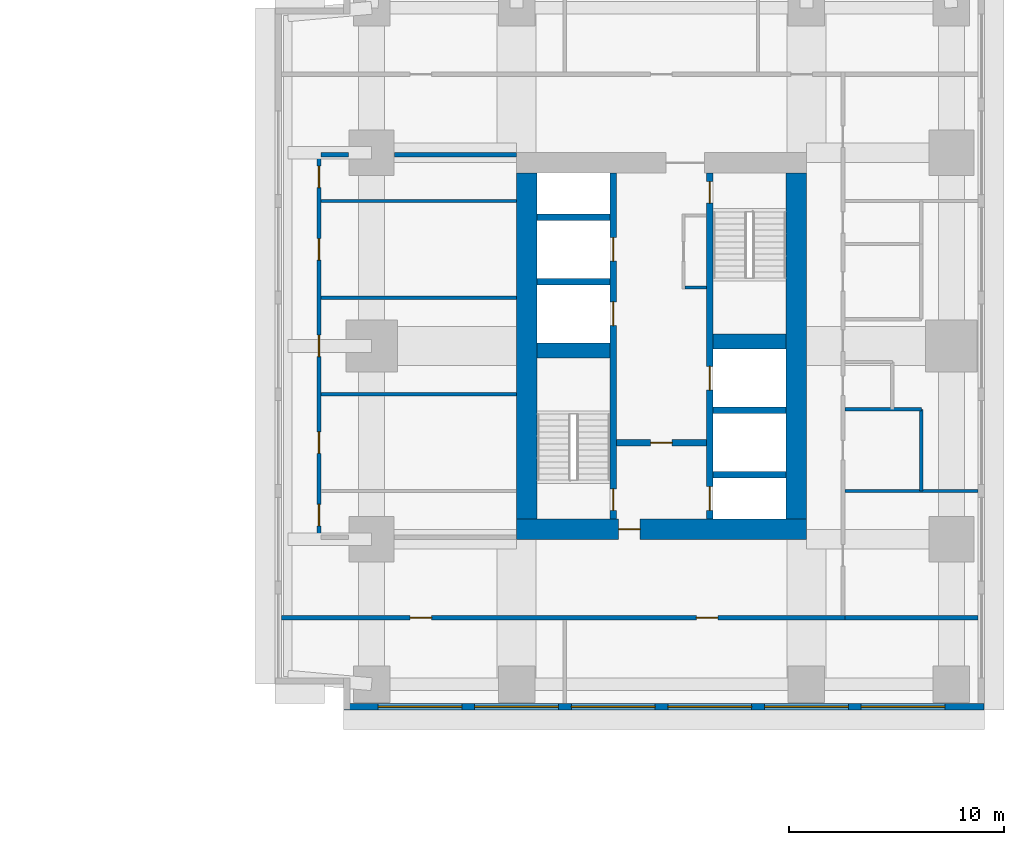
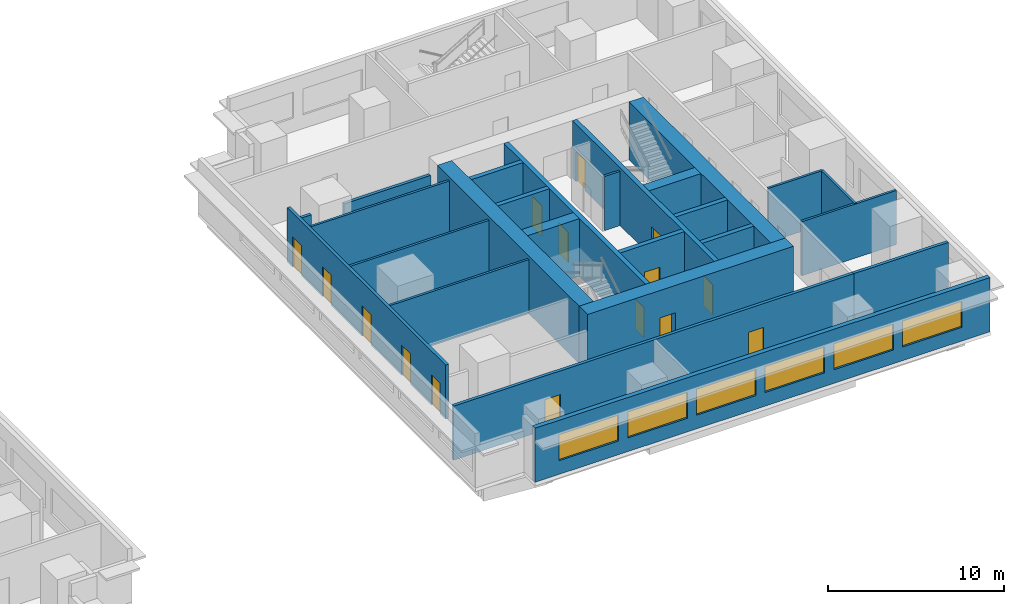
# One storey, part 6 of 11: 25 walls, 15 doors, 6 windows, 21 openings.
"""IFC4 building model written with IfcOpenShell, lengths in metres."""

from ifc_helpers import new_model, si_unit, direction, frame, frame_2d, origin, place, context, subcontext, project, spatial, rectangle, extrude, material, layer, layer_set, type_object, element, fill, save


model = new_model("IFC4")

# Units and contexts
model_context = context("Model", 3, precision=1e-05, world=origin(), true_north=direction((0.0, 1.0)))
body_context = subcontext(model_context, "Body", "Model", "MODEL_VIEW")
ifc_project = project(units=[si_unit("LENGTHUNIT", "METRE"), si_unit("AREAUNIT", "SQUARE_METRE"), si_unit("VOLUMEUNIT", "CUBIC_METRE"), si_unit("PLANEANGLEUNIT", "RADIAN"), si_unit("MASSUNIT", "GRAM", prefix="KILO")], contexts=[model_context])

# Site, building, storey
site_placement = place(None, origin())
site = spatial("IfcSite", under=ifc_project, at=site_placement, CompositionType="ELEMENT")
building_placement = place(site_placement, origin())
building = spatial("IfcBuilding", under=site, at=building_placement, Name="Namib Vertical Campus", CompositionType="ELEMENT")
storey_placement = place(building_placement, frame((0.0, 0.0, 93.0)))
storey = spatial("IfcBuildingStorey", under=building, at=storey_placement, Name="L21", CompositionType="ELEMENT", Elevation=93.0)

# Wall, openings, doors
ifc_material_1 = material(Name="Concrete C60/75", Category="concrete")
ifc_layer_1 = layer(ifc_material_1, 0.300048828125)
ifc_layer_set_1 = layer_set([ifc_layer_1], Name="Concrete C60/75")
wall_type_1 = type_object("IfcWallType", Name="Core inner wall 300", PredefinedType="SHEAR", material=ifc_layer_set_1)
wall_1_placement = place(storey_placement, frame((78.75, 12.199951171875, 0.0), z_axis=(0.0, 0.0, 1.0), x_axis=(0.0, 1.0, 0.0)))
wall_1 = element("IfcWall", 1, at=wall_1_placement, inside=storey, type_object=wall_type_1, Name="Core inner wall B L21 W1", PredefinedType="SHEAR", context=body_context, shape_type="SweptSolid", body=[
    extrude(rectangle(XDim=16.10009765625, YDim=0.300048828125, at=frame_2d((8.050048828125, 0.0))), origin(), (0.0, 0.0, 1.0), 4.0),
])
opening_1_placement = place(wall_1_placement, frame((0.39990234375, 0.0, 0.0)))
opening_1 = element("IfcOpeningElement", 2, at=opening_1_placement, cuts=wall_1, Name="Opening FD1", PredefinedType="OPENING", context=body_context, shape_type="SweptSolid", body=[
    extrude(rectangle(XDim=1.0, YDim=2.10009765625, at=frame_2d((0.5, 1.050048828125))), frame((0.0, 0.159912109375, 0.0), z_axis=(0.0, -1.0, 0.0), x_axis=(1.0, 0.0, 0.0)), (0.0, 0.0, 1.0), 0.320068359375),
])
opening_2_placement = place(wall_1_placement, frame((9.0, 0.0, 0.0)))
opening_2 = element("IfcOpeningElement", 3, at=opening_2_placement, cuts=wall_1, Name="Opening LD1", PredefinedType="OPENING", context=body_context, shape_type="SweptSolid", body=[
    extrude(rectangle(XDim=1.10009765625, YDim=2.10009765625, at=frame_2d((0.550048828125, 1.050048828125))), frame((0.0, 0.159912109375, 0.0), z_axis=(0.0, -1.0, 0.0), x_axis=(1.0, 0.0, 0.0)), (0.0, 0.0, 1.0), 0.320068359375),
])
opening_3_placement = place(wall_1_placement, frame((12.0, 0.0, 0.0)))
opening_3 = element("IfcOpeningElement", 4, at=opening_3_placement, cuts=wall_1, Name="Opening LD1", PredefinedType="OPENING", context=body_context, shape_type="SweptSolid", body=[
    extrude(rectangle(XDim=1.10009765625, YDim=2.10009765625, at=frame_2d((0.550048828125, 1.050048828125))), frame((0.0, 0.159912109375, 0.0), z_axis=(0.0, -1.0, 0.0), x_axis=(1.0, 0.0, 0.0)), (0.0, 0.0, 1.0), 0.320068359375),
])
ifc_material_2 = material(Name="Steel fire door", Category="steel")
door_type_1 = type_object("IfcDoorType", Name="Fire door 1000x2100", OperationType="SINGLE_SWING_RIGHT", PredefinedType="DOOR", material=ifc_material_2)
door_1_placement = place(opening_1_placement, origin())
door_1 = element("IfcDoor", 5, at=door_1_placement, inside=storey, type_object=door_type_1, Name="Stair door FD1 B L21 S1", OperationType="SINGLE_SWING_LEFT", OverallHeight=2.10009765625, OverallWidth=1.0, PredefinedType="DOOR", context=body_context, shape_type="SweptSolid", body=[
    extrude(rectangle(XDim=1.0, YDim=2.10009765625, at=frame_2d((0.5, 1.050048828125))), frame((0.0, 0.02490234375, 0.0), z_axis=(0.0, -1.0, 0.0), x_axis=(1.0, 0.0, 0.0)), (0.0, 0.0, 1.0), 0.050048828125),
])
fill(opening_1, door_1)
ifc_material_3 = material(Name="Stainless steel lift door", Category="steel")
door_type_2 = type_object("IfcDoorType", Name="Lift landing door 1100x2100", OperationType="DOUBLE_DOOR_SLIDING", PredefinedType="DOOR", material=ifc_material_3)
door_2_placement = place(opening_2_placement, origin())
door_2 = element("IfcDoor", 6, at=door_2_placement, inside=storey, type_object=door_type_2, Name="Lift landing door LD1 B-P1 L21", OperationType="DOUBLE_DOOR_SLIDING", OverallHeight=2.10009765625, OverallWidth=1.10009765625, PredefinedType="DOOR", context=body_context, shape_type="SweptSolid", body=[
    extrude(rectangle(XDim=1.10009765625, YDim=2.10009765625, at=frame_2d((0.550048828125, 1.050048828125))), frame((0.0, 0.02490234375, 0.0), z_axis=(0.0, -1.0, 0.0), x_axis=(1.0, 0.0, 0.0)), (0.0, 0.0, 1.0), 0.050048828125),
])
fill(opening_2, door_2)
door_3_placement = place(opening_3_placement, origin())
door_3 = element("IfcDoor", 7, at=door_3_placement, inside=storey, type_object=door_type_2, Name="Lift landing door LD1 B-P2 L21", OperationType="DOUBLE_DOOR_SLIDING", OverallHeight=2.10009765625, OverallWidth=1.10009765625, PredefinedType="DOOR", context=body_context, shape_type="SweptSolid", body=[
    extrude(rectangle(XDim=1.10009765625, YDim=2.10009765625, at=frame_2d((0.550048828125, 1.050048828125))), frame((0.0, 0.02490234375, 0.0), z_axis=(0.0, -1.0, 0.0), x_axis=(1.0, 0.0, 0.0)), (0.0, 0.0, 1.0), 0.050048828125),
])
fill(opening_3, door_3)

wall_2_placement = place(storey_placement, frame((83.25, 12.199951171875, 0.0), z_axis=(0.0, 0.0, 1.0), x_axis=(0.0, 1.0, 0.0)))
wall_2 = element("IfcWall", 8, at=wall_2_placement, inside=storey, type_object=wall_type_1, Name="Core inner wall B L21 W2", PredefinedType="SHEAR", context=body_context, shape_type="SweptSolid", body=[
    extrude(rectangle(XDim=16.10009765625, YDim=0.300048828125, at=frame_2d((8.050048828125, 0.0))), origin(), (0.0, 0.0, 1.0), 4.0),
])
opening_4_placement = place(wall_2_placement, frame((14.699951171875, 0.0, 0.0)))
opening_4 = element("IfcOpeningElement", 9, at=opening_4_placement, cuts=wall_2, Name="Opening FD1", PredefinedType="OPENING", context=body_context, shape_type="SweptSolid", body=[
    extrude(rectangle(XDim=1.0, YDim=2.10009765625, at=frame_2d((0.5, 1.050048828125))), frame((0.0, 0.159912109375, 0.0), z_axis=(0.0, -1.0, 0.0), x_axis=(1.0, 0.0, 0.0)), (0.0, 0.0, 1.0), 0.320068359375),
])
opening_5_placement = place(wall_2_placement, frame((0.39990234375, 0.0, 0.0)))
opening_5 = element("IfcOpeningElement", 10, at=opening_5_placement, cuts=wall_2, Name="Opening LD1", PredefinedType="OPENING", context=body_context, shape_type="SweptSolid", body=[
    extrude(rectangle(XDim=1.10009765625, YDim=2.10009765625, at=frame_2d((0.550048828125, 1.050048828125))), frame((0.0, 0.159912109375, 0.0), z_axis=(0.0, -1.0, 0.0), x_axis=(1.0, 0.0, 0.0)), (0.0, 0.0, 1.0), 0.320068359375),
])
opening_6_placement = place(wall_2_placement, frame((6.0, 0.0, 0.0)))
opening_6 = element("IfcOpeningElement", 11, at=opening_6_placement, cuts=wall_2, Name="Opening LD1", PredefinedType="OPENING", context=body_context, shape_type="SweptSolid", body=[
    extrude(rectangle(XDim=1.10009765625, YDim=2.10009765625, at=frame_2d((0.550048828125, 1.050048828125))), frame((0.0, 0.159912109375, 0.0), z_axis=(0.0, -1.0, 0.0), x_axis=(1.0, 0.0, 0.0)), (0.0, 0.0, 1.0), 0.320068359375),
])
door_4_placement = place(opening_4_placement, frame((1.0, 0.0, 0.0), z_axis=(0.0, 0.0, 1.0), x_axis=(-1.0, 0.0, 0.0)))
door_4 = element("IfcDoor", 12, at=door_4_placement, inside=storey, type_object=door_type_1, Name="Stair door FD1 B L21 S2", OperationType="SINGLE_SWING_LEFT", OverallHeight=2.10009765625, OverallWidth=1.0, PredefinedType="DOOR", context=body_context, shape_type="SweptSolid", body=[
    extrude(rectangle(XDim=1.0, YDim=2.10009765625, at=frame_2d((0.5, 1.050048828125))), frame((0.0, 0.02490234375, 0.0), z_axis=(0.0, -1.0, 0.0), x_axis=(1.0, 0.0, 0.0)), (0.0, 0.0, 1.0), 0.050048828125),
])
fill(opening_4, door_4)
door_5_placement = place(opening_5_placement, origin())
door_5 = element("IfcDoor", 13, at=door_5_placement, inside=storey, type_object=door_type_2, Name="Lift landing door LD1 B-FL1 L21", OperationType="DOUBLE_DOOR_SLIDING", OverallHeight=2.10009765625, OverallWidth=1.10009765625, PredefinedType="DOOR", context=body_context, shape_type="SweptSolid", body=[
    extrude(rectangle(XDim=1.10009765625, YDim=2.10009765625, at=frame_2d((0.550048828125, 1.050048828125))), frame((0.0, 0.02490234375, 0.0), z_axis=(0.0, -1.0, 0.0), x_axis=(1.0, 0.0, 0.0)), (0.0, 0.0, 1.0), 0.050048828125),
])
fill(opening_5, door_5)
door_6_placement = place(opening_6_placement, origin())
door_6 = element("IfcDoor", 14, at=door_6_placement, inside=storey, type_object=door_type_2, Name="Lift landing door LD1 B-P5 L21", OperationType="DOUBLE_DOOR_SLIDING", OverallHeight=2.10009765625, OverallWidth=1.10009765625, PredefinedType="DOOR", context=body_context, shape_type="SweptSolid", body=[
    extrude(rectangle(XDim=1.10009765625, YDim=2.10009765625, at=frame_2d((0.550048828125, 1.050048828125))), frame((0.0, 0.02490234375, 0.0), z_axis=(0.0, -1.0, 0.0), x_axis=(1.0, 0.0, 0.0)), (0.0, 0.0, 1.0), 0.050048828125),
])
fill(opening_6, door_6)

# Wall, opening, door
wall_3_placement = place(storey_placement, frame((78.89990234375, 15.75, 0.0), z_axis=(0.0, 0.0, 1.0), x_axis=(1.0, 0.0, 0.0)))
wall_3 = element("IfcWall", 15, at=wall_3_placement, inside=storey, type_object=wall_type_1, Name="Core inner wall B L21 W4", PredefinedType="SHEAR", context=body_context, shape_type="SweptSolid", body=[
    extrude(rectangle(XDim=4.2001953125, YDim=0.300048828125, at=frame_2d((2.10009765625, 0.0))), origin(), (0.0, 0.0, 1.0), 4.0),
])
opening_7_placement = place(wall_3_placement, frame((1.60009765625, 0.0, 0.0)))
opening_7 = element("IfcOpeningElement", 16, at=opening_7_placement, cuts=wall_3, Name="Opening FD5", PredefinedType="OPENING", context=body_context, shape_type="SweptSolid", body=[
    extrude(rectangle(XDim=1.0, YDim=2.10009765625, at=frame_2d((0.5, 1.050048828125))), frame((0.0, 0.159912109375, 0.0), z_axis=(0.0, -1.0, 0.0), x_axis=(1.0, 0.0, 0.0)), (0.0, 0.0, 1.0), 0.320068359375),
])
ifc_material_4 = material(Name="Steel fire door", Category="steel")
door_type_3 = type_object("IfcDoorType", Name="Fire door 1000x2100 120 min", OperationType="SINGLE_SWING_RIGHT", PredefinedType="DOOR", material=ifc_material_4)
door_7_placement = place(opening_7_placement, frame((1.0, 0.0, 0.0), z_axis=(0.0, 0.0, 1.0), x_axis=(-1.0, 0.0, 0.0)))
door_7 = element("IfcDoor", 17, at=door_7_placement, inside=storey, type_object=door_type_3, Name="Lobby door FD5 B L21", OperationType="SINGLE_SWING_RIGHT", OverallHeight=2.10009765625, OverallWidth=1.0, PredefinedType="DOOR", context=body_context, shape_type="SweptSolid", body=[
    extrude(rectangle(XDim=1.0, YDim=2.10009765625, at=frame_2d((0.5, 1.050048828125))), frame((0.0, 0.02490234375, 0.0), z_axis=(0.0, -1.0, 0.0), x_axis=(1.0, 0.0, 0.0)), (0.0, 0.0, 1.0), 0.050048828125),
])
fill(opening_7, door_7)

# Walls
for number, where, z_axis, x_axis, name in (
    (18, (83.39990234375, 14.25, 0.0), (0.0, 0.0, 1.0), (1.0, 0.0, 0.0), "Core inner wall B L21 W5"),
    (19, (83.39990234375, 17.25, 0.0), (0.0, 0.0, 1.0), (1.0, 0.0, 0.0), "Core inner wall B L21 W6"),
    (20, (75.199951171875, 23.25, 0.0), (0.0, 0.0, 1.0), (1.0, 0.0, 0.0), "Core inner wall B L21 W8"),
    (21, (75.199951171875, 26.25, 0.0), (0.0, 0.0, 1.0), (1.0, 0.0, 0.0), "Core inner wall B L21 W9"),
):
    element("IfcWall", number, at=place(storey_placement, frame(where, z_axis=z_axis, x_axis=x_axis)), inside=storey, type_object=wall_type_1, Name=name, PredefinedType="SHEAR", context=body_context, shape_type="SweptSolid", body=[
        extrude(rectangle(XDim=3.400146484375, YDim=0.300048828125, at=frame_2d((1.7001953125, 0.0))), origin(), (0.0, 0.0, 1.0), 4.0),
    ])
ifc_material_5 = material(Name="Concrete C60/75", Category="concrete")
ifc_layer_2 = layer(ifc_material_5, 0.699951171875)
ifc_layer_set_2 = layer_set([ifc_layer_2], Name="Concrete C60/75")
wall_type_2 = type_object("IfcWallType", Name="Core shear wall 700", PredefinedType="SHEAR", material=ifc_layer_set_2)
for number, where, z_axis, x_axis, name in (
    (22, (75.199951171875, 20.050048828125, 0.0), (0.0, 0.0, 1.0), (1.0, 0.0, 0.0), "Core shear wall B L21 W3"),
    (23, (83.39990234375, 20.449951171875, 0.0), (0.0, 0.0, 1.0), (1.0, 0.0, 0.0), "Core shear wall B L21 W7"),
):
    element("IfcWall", number, at=place(storey_placement, frame(where, z_axis=z_axis, x_axis=x_axis)), inside=storey, type_object=wall_type_2, Name=name, PredefinedType="SHEAR", context=body_context, shape_type="SweptSolid", body=[
        extrude(rectangle(XDim=3.400146484375, YDim=0.699951171875, at=frame_2d((1.7001953125, 0.0))), origin(), (0.0, 0.0, 1.0), 4.0),
    ])

# Wall, opening, door
ifc_material_6 = material(Name="Concrete C60/75", Category="concrete")
ifc_layer_3 = layer(ifc_material_6, 0.949951171875)
ifc_layer_set_3 = layer_set([ifc_layer_3], Name="Concrete C60/75")
wall_type_3 = type_object("IfcWallType", Name="Core wall 950", PredefinedType="SHEAR", material=ifc_layer_set_3)
wall_4_placement = place(storey_placement, frame((74.25, 11.72509765625, 0.0), z_axis=(0.0, 0.0, 1.0), x_axis=(1.0, 0.0, 0.0)))
wall_4 = element("IfcWall", 24, at=wall_4_placement, inside=storey, type_object=wall_type_3, Name="Core wall B L21 1", PredefinedType="SHEAR", context=body_context, shape_type="SweptSolid", body=[
    extrude(rectangle(XDim=13.5, YDim=0.949951171875, at=frame_2d((6.75, 0.0))), origin(), (0.0, 0.0, 1.0), 4.0),
])
opening_8_placement = place(wall_4_placement, frame((4.75, 0.0, 0.0)))
opening_8 = element("IfcOpeningElement", 25, at=opening_8_placement, cuts=wall_4, Name="Opening FD5", PredefinedType="OPENING", context=body_context, shape_type="SweptSolid", body=[
    extrude(rectangle(XDim=1.0, YDim=2.10009765625, at=frame_2d((0.5, 1.050048828125))), frame((0.0, 0.48486328125, 0.0), z_axis=(0.0, -1.0, 0.0), x_axis=(1.0, 0.0, 0.0)), (0.0, 0.0, 1.0), 0.969970703125),
])
door_8_placement = place(opening_8_placement, origin())
door_8 = element("IfcDoor", 26, at=door_8_placement, inside=storey, type_object=door_type_3, Name="Firefighting lobby door FD5 B L21", OperationType="SINGLE_SWING_LEFT", OverallHeight=2.10009765625, OverallWidth=1.0, PredefinedType="DOOR", context=body_context, shape_type="SweptSolid", body=[
    extrude(rectangle(XDim=1.0, YDim=2.10009765625, at=frame_2d((0.5, 1.050048828125))), frame((0.0, 0.02490234375, 0.0), z_axis=(0.0, -1.0, 0.0), x_axis=(1.0, 0.0, 0.0)), (0.0, 0.0, 1.0), 0.050048828125),
])
fill(opening_8, door_8)

# Walls
for number, where, z_axis, x_axis, name in (
    (27, (87.27490234375, 12.199951171875, 0.0), (0.0, 0.0, 1.0), (0.0, 1.0, 0.0), "Core wall B L21 2"),
    (28, (74.72509765625, 28.300048828125, 0.0), (0.0, 0.0, 1.0), (0.0, -1.0, 0.0), "Core wall B L21 4"),
):
    element("IfcWall", number, at=place(storey_placement, frame(where, z_axis=z_axis, x_axis=x_axis)), inside=storey, type_object=wall_type_3, Name=name, PredefinedType="SHEAR", context=body_context, shape_type="SweptSolid", body=[
        extrude(rectangle(XDim=16.10009765625, YDim=0.949951171875, at=frame_2d((8.050048828125, 0.0))), origin(), (0.0, 0.0, 1.0), 4.0),
    ])

# Wall, openings, doors
ifc_material_7 = material(Name="Concrete masonry", Category="masonry")
ifc_layer_4 = layer(ifc_material_7, 0.199951171875)
ifc_layer_set_4 = layer_set([ifc_layer_4], Name="Corridor wall 200")
wall_type_4 = type_object("IfcWallType", Name="Corridor wall 200", PredefinedType="SOLIDWALL", material=ifc_layer_set_4)
wall_5_placement = place(storey_placement, frame((63.300048828125, 7.60009765625, 0.0), z_axis=(0.0, 0.0, 1.0), x_axis=(1.0, 0.0, 0.0)))
wall_5 = element("IfcWall", 29, at=wall_5_placement, inside=storey, type_object=wall_type_4, Name="Corridor wall B L21 CS", PredefinedType="SOLIDWALL", context=body_context, shape_type="SweptSolid", body=[
    extrude(rectangle(XDim=26.25, YDim=0.199951171875, at=frame_2d((13.125, 0.0))), origin(), (0.0, 0.0, 1.0), 3.75),
])
opening_9_placement = place(wall_5_placement, frame((6.0, 0.0, 0.0)))
opening_9 = element("IfcOpeningElement", 30, at=opening_9_placement, cuts=wall_5, Name="Opening CD1", PredefinedType="OPENING", context=body_context, shape_type="SweptSolid", body=[
    extrude(rectangle(XDim=1.0, YDim=2.10009765625, at=frame_2d((0.5, 1.050048828125))), frame((0.0, 0.10986328125, 0.0), z_axis=(0.0, -1.0, 0.0), x_axis=(1.0, 0.0, 0.0)), (0.0, 0.0, 1.0), 0.219970703125),
])
opening_10_placement = place(wall_5_placement, frame((19.324951171875, 0.0, 0.0)))
opening_10 = element("IfcOpeningElement", 31, at=opening_10_placement, cuts=wall_5, Name="Opening CD1", PredefinedType="OPENING", context=body_context, shape_type="SweptSolid", body=[
    extrude(rectangle(XDim=1.0, YDim=2.10009765625, at=frame_2d((0.5, 1.050048828125))), frame((0.0, 0.10986328125, 0.0), z_axis=(0.0, -1.0, 0.0), x_axis=(1.0, 0.0, 0.0)), (0.0, 0.0, 1.0), 0.219970703125),
])
ifc_material_8 = material(Name="Timber fire door leaf", Category="wood")
door_type_4 = type_object("IfcDoorType", Name="Corridor door 1000x2100 20 min", OperationType="SINGLE_SWING_LEFT", PredefinedType="DOOR", material=ifc_material_8)
door_9_placement = place(opening_9_placement, frame((1.0, 0.0, 0.0), z_axis=(0.0, 0.0, 1.0), x_axis=(-1.0, 0.0, 0.0)))
door_9 = element("IfcDoor", 32, at=door_9_placement, inside=storey, type_object=door_type_4, Name="Door CD1 B21-01", OperationType="SINGLE_SWING_LEFT", OverallHeight=2.10009765625, OverallWidth=1.0, PredefinedType="DOOR", context=body_context, shape_type="SweptSolid", body=[
    extrude(rectangle(XDim=1.0, YDim=2.10009765625, at=frame_2d((0.5, 1.050048828125))), frame((0.0, 0.02490234375, 0.0), z_axis=(0.0, -1.0, 0.0), x_axis=(1.0, 0.0, 0.0)), (0.0, 0.0, 1.0), 0.050048828125),
])
fill(opening_9, door_9)
door_10_placement = place(opening_10_placement, frame((1.0, 0.0, 0.0), z_axis=(0.0, 0.0, 1.0), x_axis=(-1.0, 0.0, 0.0)))
door_10 = element("IfcDoor", 33, at=door_10_placement, inside=storey, type_object=door_type_4, Name="Door CD1 B21-02", OperationType="SINGLE_SWING_RIGHT", OverallHeight=2.10009765625, OverallWidth=1.0, PredefinedType="DOOR", context=body_context, shape_type="SweptSolid", body=[
    extrude(rectangle(XDim=1.0, YDim=2.10009765625, at=frame_2d((0.5, 1.050048828125))), frame((0.0, 0.02490234375, 0.0), z_axis=(0.0, -1.0, 0.0), x_axis=(1.0, 0.0, 0.0)), (0.0, 0.0, 1.0), 0.050048828125),
])
fill(opening_10, door_10)

wall_6_placement = place(storey_placement, frame((65.050048828125, 29.25, 0.0), z_axis=(0.0, 0.0, 1.0), x_axis=(0.0, -1.0, 0.0)))
wall_6 = element("IfcWall", 34, at=wall_6_placement, inside=storey, type_object=wall_type_4, Name="Corridor wall B L21 CG", PredefinedType="SOLIDWALL", context=body_context, shape_type="SweptSolid", body=[
    extrude(rectangle(XDim=18.0, YDim=0.199951171875, at=frame_2d((9.0, 0.0))), origin(), (0.0, 0.0, 1.0), 3.75),
])
opening_11_placement = place(wall_6_placement, frame((16.375, 0.0, 0.0)))
opening_11 = element("IfcOpeningElement", 35, at=opening_11_placement, cuts=wall_6, Name="Opening CD1", PredefinedType="OPENING", context=body_context, shape_type="SweptSolid", body=[
    extrude(rectangle(XDim=1.0, YDim=2.10009765625, at=frame_2d((0.5, 1.050048828125))), frame((0.0, 0.10986328125, 0.0), z_axis=(0.0, -1.0, 0.0), x_axis=(1.0, 0.0, 0.0)), (0.0, 0.0, 1.0), 0.219970703125),
])
opening_12_placement = place(wall_6_placement, frame((13.0, 0.0, 0.0)))
opening_12 = element("IfcOpeningElement", 36, at=opening_12_placement, cuts=wall_6, Name="Opening CD1", PredefinedType="OPENING", context=body_context, shape_type="SweptSolid", body=[
    extrude(rectangle(XDim=1.0, YDim=2.10009765625, at=frame_2d((0.5, 1.050048828125))), frame((0.0, 0.10986328125, 0.0), z_axis=(0.0, -1.0, 0.0), x_axis=(1.0, 0.0, 0.0)), (0.0, 0.0, 1.0), 0.219970703125),
])
opening_13_placement = place(wall_6_placement, frame((8.5, 0.0, 0.0)))
opening_13 = element("IfcOpeningElement", 37, at=opening_13_placement, cuts=wall_6, Name="Opening CD1", PredefinedType="OPENING", context=body_context, shape_type="SweptSolid", body=[
    extrude(rectangle(XDim=1.0, YDim=2.10009765625, at=frame_2d((0.5, 1.050048828125))), frame((0.0, 0.10986328125, 0.0), z_axis=(0.0, -1.0, 0.0), x_axis=(1.0, 0.0, 0.0)), (0.0, 0.0, 1.0), 0.219970703125),
])
opening_14_placement = place(wall_6_placement, frame((4.0, 0.0, 0.0)))
opening_14 = element("IfcOpeningElement", 38, at=opening_14_placement, cuts=wall_6, Name="Opening CD1", PredefinedType="OPENING", context=body_context, shape_type="SweptSolid", body=[
    extrude(rectangle(XDim=1.0, YDim=2.10009765625, at=frame_2d((0.5, 1.050048828125))), frame((0.0, 0.10986328125, 0.0), z_axis=(0.0, -1.0, 0.0), x_axis=(1.0, 0.0, 0.0)), (0.0, 0.0, 1.0), 0.219970703125),
])
opening_15_placement = place(wall_6_placement, frame((0.625, 0.0, 0.0)))
opening_15 = element("IfcOpeningElement", 39, at=opening_15_placement, cuts=wall_6, Name="Opening CD1", PredefinedType="OPENING", context=body_context, shape_type="SweptSolid", body=[
    extrude(rectangle(XDim=1.0, YDim=2.10009765625, at=frame_2d((0.5, 1.050048828125))), frame((0.0, 0.10986328125, 0.0), z_axis=(0.0, -1.0, 0.0), x_axis=(1.0, 0.0, 0.0)), (0.0, 0.0, 1.0), 0.219970703125),
])
door_11_placement = place(opening_11_placement, origin())
door_11 = element("IfcDoor", 40, at=door_11_placement, inside=storey, type_object=door_type_4, Name="Door CD1 B21-13", OperationType="SINGLE_SWING_LEFT", OverallHeight=2.10009765625, OverallWidth=1.0, PredefinedType="DOOR", context=body_context, shape_type="SweptSolid", body=[
    extrude(rectangle(XDim=1.0, YDim=2.10009765625, at=frame_2d((0.5, 1.050048828125))), frame((0.0, 0.02490234375, 0.0), z_axis=(0.0, -1.0, 0.0), x_axis=(1.0, 0.0, 0.0)), (0.0, 0.0, 1.0), 0.050048828125),
])
fill(opening_11, door_11)
door_12_placement = place(opening_12_placement, origin())
door_12 = element("IfcDoor", 41, at=door_12_placement, inside=storey, type_object=door_type_4, Name="Door CD1 B21-14", OperationType="SINGLE_SWING_LEFT", OverallHeight=2.10009765625, OverallWidth=1.0, PredefinedType="DOOR", context=body_context, shape_type="SweptSolid", body=[
    extrude(rectangle(XDim=1.0, YDim=2.10009765625, at=frame_2d((0.5, 1.050048828125))), frame((0.0, 0.02490234375, 0.0), z_axis=(0.0, -1.0, 0.0), x_axis=(1.0, 0.0, 0.0)), (0.0, 0.0, 1.0), 0.050048828125),
])
fill(opening_12, door_12)
door_13_placement = place(opening_13_placement, origin())
door_13 = element("IfcDoor", 42, at=door_13_placement, inside=storey, type_object=door_type_4, Name="Door CD1 B21-15", OperationType="SINGLE_SWING_LEFT", OverallHeight=2.10009765625, OverallWidth=1.0, PredefinedType="DOOR", context=body_context, shape_type="SweptSolid", body=[
    extrude(rectangle(XDim=1.0, YDim=2.10009765625, at=frame_2d((0.5, 1.050048828125))), frame((0.0, 0.02490234375, 0.0), z_axis=(0.0, -1.0, 0.0), x_axis=(1.0, 0.0, 0.0)), (0.0, 0.0, 1.0), 0.050048828125),
])
fill(opening_13, door_13)
door_14_placement = place(opening_14_placement, origin())
door_14 = element("IfcDoor", 43, at=door_14_placement, inside=storey, type_object=door_type_4, Name="Door CD1 B21-16", OperationType="SINGLE_SWING_LEFT", OverallHeight=2.10009765625, OverallWidth=1.0, PredefinedType="DOOR", context=body_context, shape_type="SweptSolid", body=[
    extrude(rectangle(XDim=1.0, YDim=2.10009765625, at=frame_2d((0.5, 1.050048828125))), frame((0.0, 0.02490234375, 0.0), z_axis=(0.0, -1.0, 0.0), x_axis=(1.0, 0.0, 0.0)), (0.0, 0.0, 1.0), 0.050048828125),
])
fill(opening_14, door_14)
door_15_placement = place(opening_15_placement, origin())
door_15 = element("IfcDoor", 44, at=door_15_placement, inside=storey, type_object=door_type_4, Name="Door CD1 B21-17", OperationType="SINGLE_SWING_LEFT", OverallHeight=2.10009765625, OverallWidth=1.0, PredefinedType="DOOR", context=body_context, shape_type="SweptSolid", body=[
    extrude(rectangle(XDim=1.0, YDim=2.10009765625, at=frame_2d((0.5, 1.050048828125))), frame((0.0, 0.02490234375, 0.0), z_axis=(0.0, -1.0, 0.0), x_axis=(1.0, 0.0, 0.0)), (0.0, 0.0, 1.0), 0.050048828125),
])
fill(opening_15, door_15)

# Walls
wall_7_placement = place(storey_placement, frame((65.14990234375, 29.14990234375, 0.0), z_axis=(0.0, 0.0, 1.0), x_axis=(1.0, 0.0, 0.0)))
element("IfcWall", 45, at=wall_7_placement, inside=storey, type_object=wall_type_4, Name="Corridor wall B L21 GN", PredefinedType="SOLIDWALL", context=body_context, shape_type="SweptSolid", body=[
    extrude(rectangle(XDim=1.280029296875, YDim=0.199951171875, at=frame_2d((0.64013671875, 0.0))), origin(), (0.0, 0.0, 1.0), 2.85009765625),
])
wall_8_placement = place(storey_placement, frame((68.570068359375, 29.14990234375, 0.0), z_axis=(0.0, 0.0, 1.0), x_axis=(1.0, 0.0, 0.0)))
element("IfcWall", 46, at=wall_8_placement, inside=storey, type_object=wall_type_4, Name="Corridor wall B L21 GN", PredefinedType="SOLIDWALL", context=body_context, shape_type="SweptSolid", body=[
    extrude(rectangle(XDim=5.679931640625, YDim=0.199951171875, at=frame_2d((2.83984375, 0.0))), origin(), (0.0, 0.0, 1.0), 2.85009765625),
])
wall_9_placement = place(storey_placement, frame((89.550048828125, 7.60009765625, 0.0), z_axis=(0.0, 0.0, 1.0), x_axis=(1.0, 0.0, 0.0)))
element("IfcWall", 47, at=wall_9_placement, inside=storey, type_object=wall_type_4, Name="Partition B L21 BSE", PredefinedType="SOLIDWALL", context=body_context, shape_type="SweptSolid", body=[
    extrude(rectangle(XDim=6.199951171875, YDim=0.199951171875, at=frame_2d((3.10009765625, 0.0))), origin(), (0.0, 0.0, 1.0), 3.75),
])

# Wall, openings, windows
ifc_material_9 = material(Name="Concrete C40/50", Category="concrete")
ifc_layer_5 = layer(ifc_material_9, 0.300048828125)
ifc_layer_set_5 = layer_set([ifc_layer_5], Name="Concrete C40/50")
wall_type_5 = type_object("IfcWallType", Name="External wall 300 board-marked concrete", PredefinedType="STANDARD", material=ifc_layer_set_5)
wall_10_placement = place(storey_placement, frame((66.219970703125, 3.449951171875, 0.0), z_axis=(0.0, 0.0, 1.0), x_axis=(1.0, 0.0, 0.0)))
wall_10 = element("IfcWall", 48, at=wall_10_placement, inside=storey, type_object=wall_type_5, Name="External wall L21 F03", PredefinedType="STANDARD", context=body_context, shape_type="SweptSolid", body=[
    extrude(rectangle(XDim=29.81005859375, YDim=0.300048828125, at=frame_2d((14.905029296875, 0.0))), origin(), (0.0, 0.0, 1.0), 3.75),
])
opening_16_placement = place(wall_10_placement, frame((1.580078125, 0.0, 0.949951171875)))
opening_16 = element("IfcOpeningElement", 49, at=opening_16_placement, cuts=wall_10, Name="Opening W3", PredefinedType="OPENING", context=body_context, shape_type="SweptSolid", body=[
    extrude(rectangle(XDim=3.89990234375, YDim=1.800048828125, at=frame_2d((1.949951171875, 0.89990234375))), frame((0.0, 0.159912109375, 0.0), z_axis=(0.0, -1.0, 0.0), x_axis=(1.0, 0.0, 0.0)), (0.0, 0.0, 1.0), 0.320068359375),
])
opening_17_placement = place(wall_10_placement, frame((6.080078125, 0.0, 0.949951171875)))
opening_17 = element("IfcOpeningElement", 50, at=opening_17_placement, cuts=wall_10, Name="Opening W3", PredefinedType="OPENING", context=body_context, shape_type="SweptSolid", body=[
    extrude(rectangle(XDim=3.89990234375, YDim=1.800048828125, at=frame_2d((1.949951171875, 0.89990234375))), frame((0.0, 0.159912109375, 0.0), z_axis=(0.0, -1.0, 0.0), x_axis=(1.0, 0.0, 0.0)), (0.0, 0.0, 1.0), 0.320068359375),
])
opening_18_placement = place(wall_10_placement, frame((10.580078125, 0.0, 0.949951171875)))
opening_18 = element("IfcOpeningElement", 51, at=opening_18_placement, cuts=wall_10, Name="Opening W3", PredefinedType="OPENING", context=body_context, shape_type="SweptSolid", body=[
    extrude(rectangle(XDim=3.89990234375, YDim=1.800048828125, at=frame_2d((1.949951171875, 0.89990234375))), frame((0.0, 0.159912109375, 0.0), z_axis=(0.0, -1.0, 0.0), x_axis=(1.0, 0.0, 0.0)), (0.0, 0.0, 1.0), 0.320068359375),
])
opening_19_placement = place(wall_10_placement, frame((15.080078125, 0.0, 0.949951171875)))
opening_19 = element("IfcOpeningElement", 52, at=opening_19_placement, cuts=wall_10, Name="Opening W3", PredefinedType="OPENING", context=body_context, shape_type="SweptSolid", body=[
    extrude(rectangle(XDim=3.89990234375, YDim=1.800048828125, at=frame_2d((1.949951171875, 0.89990234375))), frame((0.0, 0.159912109375, 0.0), z_axis=(0.0, -1.0, 0.0), x_axis=(1.0, 0.0, 0.0)), (0.0, 0.0, 1.0), 0.320068359375),
])
opening_20_placement = place(wall_10_placement, frame((19.580078125, 0.0, 0.949951171875)))
opening_20 = element("IfcOpeningElement", 53, at=opening_20_placement, cuts=wall_10, Name="Opening W3", PredefinedType="OPENING", context=body_context, shape_type="SweptSolid", body=[
    extrude(rectangle(XDim=3.89990234375, YDim=1.800048828125, at=frame_2d((1.949951171875, 0.89990234375))), frame((0.0, 0.159912109375, 0.0), z_axis=(0.0, -1.0, 0.0), x_axis=(1.0, 0.0, 0.0)), (0.0, 0.0, 1.0), 0.320068359375),
])
opening_21_placement = place(wall_10_placement, frame((24.080078125, 0.0, 0.949951171875)))
opening_21 = element("IfcOpeningElement", 54, at=opening_21_placement, cuts=wall_10, Name="Opening W3", PredefinedType="OPENING", context=body_context, shape_type="SweptSolid", body=[
    extrude(rectangle(XDim=3.89990234375, YDim=1.800048828125, at=frame_2d((1.949951171875, 0.89990234375))), frame((0.0, 0.159912109375, 0.0), z_axis=(0.0, -1.0, 0.0), x_axis=(1.0, 0.0, 0.0)), (0.0, 0.0, 1.0), 0.320068359375),
])
ifc_material_10 = material(Name="Dark tinted glass in black aluminium frame", Category="aluminium")
window_type = type_object("IfcWindowType", Name="Ribbon window 3900x1800", PartitioningType="SINGLE_PANEL", PredefinedType="WINDOW", material=ifc_material_10)
window_1_placement = place(opening_16_placement, origin())
window_1 = element("IfcWindow", 55, at=window_1_placement, inside=storey, type_object=window_type, Name="Window W3 L21 F03-1", OverallHeight=1.800048828125, OverallWidth=3.89990234375, PartitioningType="SINGLE_PANEL", PredefinedType="WINDOW", context=body_context, shape_type="SweptSolid", body=[
    extrude(rectangle(XDim=3.89990234375, YDim=1.800048828125, at=frame_2d((1.949951171875, 0.89990234375))), frame((0.0, 0.030029296875, 0.0), z_axis=(0.0, -1.0, 0.0), x_axis=(1.0, 0.0, 0.0)), (0.0, 0.0, 1.0), 0.06005859375),
])
fill(opening_16, window_1)
window_2_placement = place(opening_17_placement, origin())
window_2 = element("IfcWindow", 56, at=window_2_placement, inside=storey, type_object=window_type, Name="Window W3 L21 F03-2", OverallHeight=1.800048828125, OverallWidth=3.89990234375, PartitioningType="SINGLE_PANEL", PredefinedType="WINDOW", context=body_context, shape_type="SweptSolid", body=[
    extrude(rectangle(XDim=3.89990234375, YDim=1.800048828125, at=frame_2d((1.949951171875, 0.89990234375))), frame((0.0, 0.030029296875, 0.0), z_axis=(0.0, -1.0, 0.0), x_axis=(1.0, 0.0, 0.0)), (0.0, 0.0, 1.0), 0.06005859375),
])
fill(opening_17, window_2)
window_3_placement = place(opening_18_placement, origin())
window_3 = element("IfcWindow", 57, at=window_3_placement, inside=storey, type_object=window_type, Name="Window W3 L21 F03-3", OverallHeight=1.800048828125, OverallWidth=3.89990234375, PartitioningType="SINGLE_PANEL", PredefinedType="WINDOW", context=body_context, shape_type="SweptSolid", body=[
    extrude(rectangle(XDim=3.89990234375, YDim=1.800048828125, at=frame_2d((1.949951171875, 0.89990234375))), frame((0.0, 0.030029296875, 0.0), z_axis=(0.0, -1.0, 0.0), x_axis=(1.0, 0.0, 0.0)), (0.0, 0.0, 1.0), 0.06005859375),
])
fill(opening_18, window_3)
window_4_placement = place(opening_19_placement, origin())
window_4 = element("IfcWindow", 58, at=window_4_placement, inside=storey, type_object=window_type, Name="Window W3 L21 F03-4", OverallHeight=1.800048828125, OverallWidth=3.89990234375, PartitioningType="SINGLE_PANEL", PredefinedType="WINDOW", context=body_context, shape_type="SweptSolid", body=[
    extrude(rectangle(XDim=3.89990234375, YDim=1.800048828125, at=frame_2d((1.949951171875, 0.89990234375))), frame((0.0, 0.030029296875, 0.0), z_axis=(0.0, -1.0, 0.0), x_axis=(1.0, 0.0, 0.0)), (0.0, 0.0, 1.0), 0.06005859375),
])
fill(opening_19, window_4)
window_5_placement = place(opening_20_placement, origin())
window_5 = element("IfcWindow", 59, at=window_5_placement, inside=storey, type_object=window_type, Name="Window W3 L21 F03-5", OverallHeight=1.800048828125, OverallWidth=3.89990234375, PartitioningType="SINGLE_PANEL", PredefinedType="WINDOW", context=body_context, shape_type="SweptSolid", body=[
    extrude(rectangle(XDim=3.89990234375, YDim=1.800048828125, at=frame_2d((1.949951171875, 0.89990234375))), frame((0.0, 0.030029296875, 0.0), z_axis=(0.0, -1.0, 0.0), x_axis=(1.0, 0.0, 0.0)), (0.0, 0.0, 1.0), 0.06005859375),
])
fill(opening_20, window_5)
window_6_placement = place(opening_21_placement, origin())
window_6 = element("IfcWindow", 60, at=window_6_placement, inside=storey, type_object=window_type, Name="Window W3 L21 F03-6", OverallHeight=1.800048828125, OverallWidth=3.89990234375, PartitioningType="SINGLE_PANEL", PredefinedType="WINDOW", context=body_context, shape_type="SweptSolid", body=[
    extrude(rectangle(XDim=3.89990234375, YDim=1.800048828125, at=frame_2d((1.949951171875, 0.89990234375))), frame((0.0, 0.030029296875, 0.0), z_axis=(0.0, -1.0, 0.0), x_axis=(1.0, 0.0, 0.0)), (0.0, 0.0, 1.0), 0.06005859375),
])
fill(opening_21, window_6)

# Walls
ifc_material_11 = material(Name="Gypsum board on steel studs", Category="steel")
ifc_layer_6 = layer(ifc_material_11, 0.14990234375)
ifc_layer_set_6 = layer_set([ifc_layer_6], Name="Gypsum board on steel studs")
wall_type_6 = type_object("IfcWallType", Name="Partition 150", PredefinedType="PARTITIONING", material=ifc_layer_set_6)
wall_11_placement = place(storey_placement, frame((82.10009765625, 22.97509765625, 0.0), z_axis=(0.0, 0.0, 1.0), x_axis=(1.0, 0.0, 0.0)))
element("IfcWall", 61, at=wall_11_placement, inside=storey, type_object=wall_type_6, Name="Partition B L21 Staff pantry end 1", PredefinedType="PARTITIONING", context=body_context, shape_type="SweptSolid", body=[
    extrude(rectangle(XDim=1.0, YDim=0.14990234375, at=frame_2d((0.5, 0.0))), origin(), (0.0, 0.0, 1.0), 3.75),
])
wall_12_placement = place(storey_placement, frame((89.550048828125, 13.5, 0.0), z_axis=(0.0, 0.0, 1.0), x_axis=(1.0, 0.0, 0.0)))
element("IfcWall", 62, at=wall_12_placement, inside=storey, type_object=wall_type_6, Name="Partition B L21 PE1", PredefinedType="PARTITIONING", context=body_context, shape_type="SweptSolid", body=[
    extrude(rectangle(XDim=6.199951171875, YDim=0.14990234375, at=frame_2d((3.10009765625, 0.0))), origin(), (0.0, 0.0, 1.0), 3.75),
])
for number, where, z_axis, x_axis, name in (
    (63, (65.14990234375, 18.0, 0.0), (0.0, 0.0, 1.0), (1.0, 0.0, 0.0), "Partition B L21 PW2"),
    (64, (65.14990234375, 22.5, 0.0), (0.0, 0.0, 1.0), (1.0, 0.0, 0.0), "Partition B L21 PW3"),
    (65, (65.14990234375, 27.0, 0.0), (0.0, 0.0, 1.0), (1.0, 0.0, 0.0), "Partition B L21 PW4"),
):
    element("IfcWall", number, at=place(storey_placement, frame(where, z_axis=z_axis, x_axis=x_axis)), inside=storey, type_object=wall_type_6, Name=name, PredefinedType="PARTITIONING", context=body_context, shape_type="SweptSolid", body=[
        extrude(rectangle(XDim=9.10009765625, YDim=0.14990234375, at=frame_2d((4.550048828125, 0.0))), origin(), (0.0, 0.0, 1.0), 3.75),
    ])
wall_13_placement = place(storey_placement, frame((89.550048828125, 17.300048828125, 0.0), z_axis=(0.0, 0.0, 1.0), x_axis=(1.0, 0.0, 0.0)))
element("IfcWall", 66, at=wall_13_placement, inside=storey, type_object=wall_type_6, Name="Partition B L21 WR1", PredefinedType="PARTITIONING", context=body_context, shape_type="SweptSolid", body=[
    extrude(rectangle(XDim=3.550048828125, YDim=0.14990234375, at=frame_2d((1.77490234375, 0.0))), origin(), (0.0, 0.0, 1.0), 3.75),
])
wall_14_placement = place(storey_placement, frame((93.10009765625, 13.5, 0.0), z_axis=(0.0, 0.0, 1.0), x_axis=(0.0, 1.0, 0.0)))
element("IfcWall", 67, at=wall_14_placement, inside=storey, type_object=wall_type_6, Name="Partition B L21 WB1", PredefinedType="PARTITIONING", context=body_context, shape_type="SweptSolid", body=[
    extrude(rectangle(XDim=3.800048828125, YDim=0.14990234375, at=frame_2d((1.89990234375, 0.0))), origin(), (0.0, 0.0, 1.0), 3.75),
])

save(model, "model.ifc")
